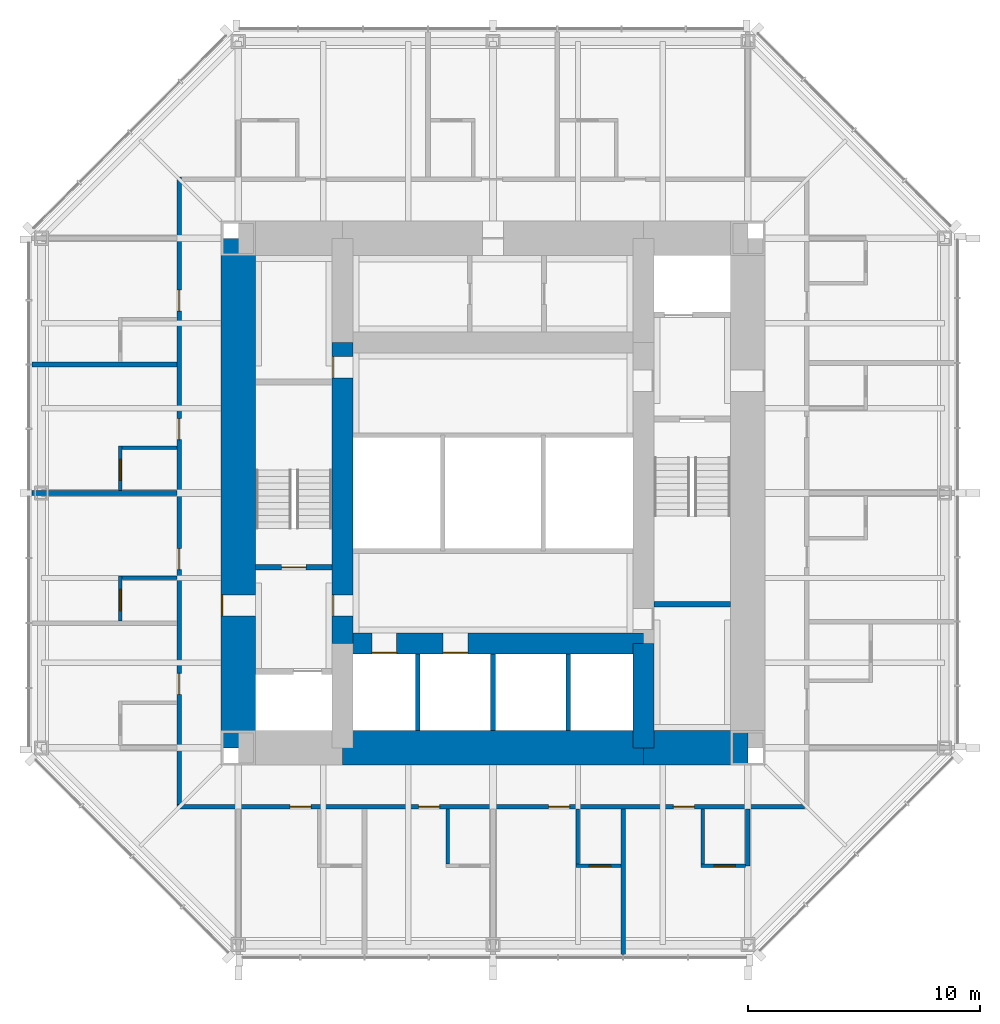
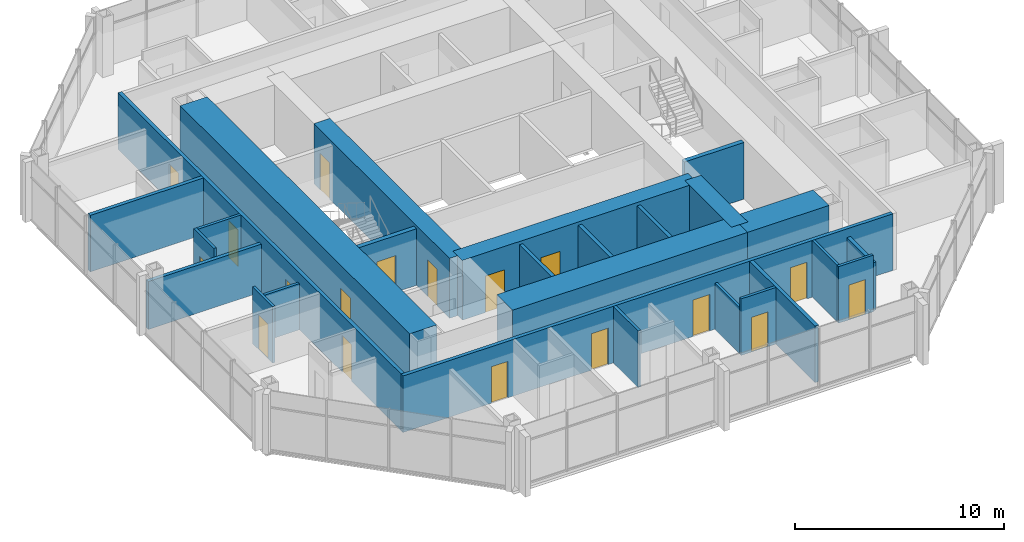
# One storey, part 8 of 12: 26 walls, 18 doors, 18 openings.
"""IFC4 building model written with IfcOpenShell, lengths in metres."""

from ifc_helpers import new_model, si_unit, direction, frame, frame_2d, origin, place, context, subcontext, project, spatial, rectangle, extrude, material, layer, layer_set, type_object, element, fill, save


model = new_model("IFC4")

# Units and contexts
model_context = context("Model", 3, precision=1e-05, world=origin(), true_north=direction((0.0, 1.0)))
body_context = subcontext(model_context, "Body", "Model", "MODEL_VIEW")
ifc_project = project(units=[si_unit("LENGTHUNIT", "METRE"), si_unit("AREAUNIT", "SQUARE_METRE"), si_unit("VOLUMEUNIT", "CUBIC_METRE"), si_unit("PLANEANGLEUNIT", "RADIAN"), si_unit("MASSUNIT", "GRAM", prefix="KILO")], contexts=[model_context])

# Site, building, storey
site_placement = place(None, origin())
site = spatial("IfcSite", under=ifc_project, at=site_placement, CompositionType="ELEMENT")
building_placement = place(site_placement, origin())
building = spatial("IfcBuilding", under=site, at=building_placement, Name="Trevanion Tower", CompositionType="ELEMENT")
storey_placement = place(building_placement, frame((0.0, 0.0, 201.199951171875)))
storey = spatial("IfcBuildingStorey", under=building, at=storey_placement, Name="L47", CompositionType="ELEMENT", Elevation=201.199951171875)

# Wall, opening, door
ifc_material_1 = material(Name="Concrete 10,000 psi", Category="concrete")
ifc_layer_1 = layer(ifc_material_1, 1.5)
ifc_layer_set_1 = layer_set([ifc_layer_1], Name="CW1 core wall 1500")
wall_type_1 = type_object("IfcWallType", Name="CW1 core wall 1500", PredefinedType="SHEAR", material=ifc_layer_set_1)
wall_1_placement = place(storey_placement, frame((-11.0, 11.0, 0.0), z_axis=(0.0, 0.0, 1.0), x_axis=(0.0, -1.0, 0.0)))
wall_1 = element("IfcWall", 1, at=wall_1_placement, inside=storey, type_object=wall_type_1, Name="CW1 CW L47", PredefinedType="SHEAR", context=body_context, shape_type="SweptSolid", body=[
    extrude(rectangle(XDim=22.0, YDim=1.5, at=frame_2d((11.0, 0.0))), origin(), (0.0, 0.0, 1.0), 3.5),
])
opening_1_placement = place(wall_1_placement, frame((15.392578125, 0.0, 0.0)))
opening_1 = element("IfcOpeningElement", 2, at=opening_1_placement, cuts=wall_1, Name="Opening 47-002", PredefinedType="OPENING", context=body_context, shape_type="SweptSolid", body=[
    extrude(rectangle(XDim=0.9150390625, YDim=2.134033203125, at=frame_2d((0.45751953125, 1.06689453125))), frame((0.0, 0.760009765625, 0.0), z_axis=(0.0, -1.0, 0.0), x_axis=(1.0, 0.0, 0.0)), (0.0, 0.0, 1.0), 1.52001953125),
])
ifc_material_2 = material(Name="Hollow metal, fire rated", Category="steel")
door_type_1 = type_object("IfcDoorType", Name="D3 fire lift lobby door", OperationType="SINGLE_SWING_RIGHT", PredefinedType="DOOR", material=ifc_material_2)
door_1_placement = place(opening_1_placement, origin())
door_1 = element("IfcDoor", 3, at=door_1_placement, inside=storey, type_object=door_type_1, Name="Door 47-002", OperationType="SINGLE_SWING_RIGHT", OverallHeight=2.134033203125, OverallWidth=0.9150390625, PredefinedType="DOOR", context=body_context, shape_type="SweptSolid", body=[
    extrude(rectangle(XDim=0.9150390625, YDim=2.134033203125, at=frame_2d((0.45751953125, 1.06689453125))), frame((0.0, -0.6748046875, 0.0), z_axis=(0.0, -1.0, 0.0), x_axis=(1.0, 0.0, 0.0)), (0.0, 0.0, 1.0), 0.050048828125),
])
fill(opening_1, door_1)

# Walls
wall_2_placement = place(storey_placement, frame((-6.5, -11.0, 0.0), z_axis=(0.0, 0.0, 1.0), x_axis=(1.0, 0.0, 0.0)))
element("IfcWall", 4, at=wall_2_placement, inside=storey, type_object=wall_type_1, Name="CW1 CS2 L47", PredefinedType="SHEAR", context=body_context, shape_type="SweptSolid", body=[
    extrude(rectangle(XDim=13.0, YDim=1.5, at=frame_2d((6.5, 0.0))), origin(), (0.0, 0.0, 1.0), 3.5),
])
wall_3_placement = place(storey_placement, frame((6.5, -11.0, 0.0), z_axis=(0.0, 0.0, 1.0), x_axis=(1.0, 0.0, 0.0)))
element("IfcWall", 5, at=wall_3_placement, inside=storey, type_object=wall_type_1, Name="CW1 CS3 L47", PredefinedType="SHEAR", context=body_context, shape_type="SweptSolid", body=[
    extrude(rectangle(XDim=4.5, YDim=1.5, at=frame_2d((2.25, 0.0))), origin(), (0.0, 0.0, 1.0), 3.5),
])
ifc_material_3 = material(Name="Concrete 10,000 psi", Category="concrete")
ifc_layer_2 = layer(ifc_material_3, 0.89990234375)
ifc_layer_set_2 = layer_set([ifc_layer_2], Name="CW2 core wall 900")
wall_type_2 = type_object("IfcWallType", Name="CW2 core wall 900", PredefinedType="SHEAR", material=ifc_layer_set_2)
wall_4_placement = place(storey_placement, frame((6.5, -11.0, 0.0), z_axis=(0.0, 0.0, 1.0), x_axis=(0.0, 1.0, 0.0)))
element("IfcWall", 6, at=wall_4_placement, inside=storey, type_object=wall_type_2, Name="CW2 RE1 L47", PredefinedType="SHEAR", context=body_context, shape_type="SweptSolid", body=[
    extrude(rectangle(XDim=4.5, YDim=0.89990234375, at=frame_2d((2.25, 0.0))), origin(), (0.0, 0.0, 1.0), 3.5),
])

# Wall, openings, doors
wall_5_placement = place(storey_placement, frame((-6.5, 6.5, 0.0), z_axis=(0.0, 0.0, 1.0), x_axis=(0.0, -1.0, 0.0)))
wall_5 = element("IfcWall", 7, at=wall_5_placement, inside=storey, type_object=wall_type_2, Name="CW2 RW2 L47", PredefinedType="SHEAR", context=body_context, shape_type="SweptSolid", body=[
    extrude(rectangle(XDim=13.0, YDim=0.89990234375, at=frame_2d((6.5, 0.0))), origin(), (0.0, 0.0, 1.0), 3.5),
])
opening_2_placement = place(wall_5_placement, frame((10.892578125, 0.0, 0.0)))
opening_2 = element("IfcOpeningElement", 8, at=opening_2_placement, cuts=wall_5, Name="Opening 47-004", PredefinedType="OPENING", context=body_context, shape_type="SweptSolid", body=[
    extrude(rectangle(XDim=0.9150390625, YDim=2.134033203125, at=frame_2d((0.45751953125, 1.06689453125))), frame((0.0, 0.4599609375, 0.0), z_axis=(0.0, -1.0, 0.0), x_axis=(1.0, 0.0, 0.0)), (0.0, 0.0, 1.0), 0.919921875),
])
opening_3_placement = place(wall_5_placement, frame((0.610107421875, 0.0, 0.0)))
opening_3 = element("IfcOpeningElement", 9, at=opening_3_placement, cuts=wall_5, Name="Opening 47-010", PredefinedType="OPENING", context=body_context, shape_type="SweptSolid", body=[
    extrude(rectangle(XDim=0.9150390625, YDim=2.134033203125, at=frame_2d((0.45751953125, 1.06689453125))), frame((0.0, 0.4599609375, 0.0), z_axis=(0.0, -1.0, 0.0), x_axis=(1.0, 0.0, 0.0)), (0.0, 0.0, 1.0), 0.919921875),
])
door_2_placement = place(opening_2_placement, origin())
door_2 = element("IfcDoor", 10, at=door_2_placement, inside=storey, type_object=door_type_1, Name="Door 47-004", OperationType="SINGLE_SWING_RIGHT", OverallHeight=2.134033203125, OverallWidth=0.9150390625, PredefinedType="DOOR", context=body_context, shape_type="SweptSolid", body=[
    extrude(rectangle(XDim=0.9150390625, YDim=2.134033203125, at=frame_2d((0.45751953125, 1.06689453125))), frame((0.0, -0.375, 0.0), z_axis=(0.0, -1.0, 0.0), x_axis=(1.0, 0.0, 0.0)), (0.0, 0.0, 1.0), 0.050048828125),
])
fill(opening_2, door_2)
ifc_material_4 = material(Name="Hollow metal, fire rated", Category="steel")
door_type_2 = type_object("IfcDoorType", Name="D5 service room door", OperationType="SINGLE_SWING_RIGHT", PredefinedType="DOOR", material=ifc_material_4)
door_3_placement = place(opening_3_placement, origin())
door_3 = element("IfcDoor", 11, at=door_3_placement, inside=storey, type_object=door_type_2, Name="Door 47-010", OperationType="SINGLE_SWING_RIGHT", OverallHeight=2.134033203125, OverallWidth=0.9150390625, PredefinedType="DOOR", context=body_context, shape_type="SweptSolid", body=[
    extrude(rectangle(XDim=0.9150390625, YDim=2.134033203125, at=frame_2d((0.45751953125, 1.06689453125))), frame((0.0, -0.375, 0.0), z_axis=(0.0, -1.0, 0.0), x_axis=(1.0, 0.0, 0.0)), (0.0, 0.0, 1.0), 0.050048828125),
])
fill(opening_3, door_3)

wall_6_placement = place(storey_placement, frame((-6.5, -6.5, 0.0), z_axis=(0.0, 0.0, 1.0), x_axis=(1.0, 0.0, 0.0)))
wall_6 = element("IfcWall", 12, at=wall_6_placement, inside=storey, type_object=wall_type_2, Name="CW2 RS L47", PredefinedType="SHEAR", context=body_context, shape_type="SweptSolid", body=[
    extrude(rectangle(XDim=13.0, YDim=0.89990234375, at=frame_2d((6.5, 0.0))), origin(), (0.0, 0.0, 1.0), 3.5),
])
opening_4_placement = place(wall_6_placement, frame((1.2666015625, 0.0, 0.0)))
opening_4 = element("IfcOpeningElement", 13, at=opening_4_placement, cuts=wall_6, Name="Opening 47-011", PredefinedType="OPENING", context=body_context, shape_type="SweptSolid", body=[
    extrude(rectangle(XDim=1.06689453125, YDim=2.134033203125, at=frame_2d((0.533447265625, 1.06689453125))), frame((0.0, 0.4599609375, 0.0), z_axis=(0.0, -1.0, 0.0), x_axis=(1.0, 0.0, 0.0)), (0.0, 0.0, 1.0), 0.919921875),
])
opening_5_placement = place(wall_6_placement, frame((4.341552734375, 0.0, 0.0)))
opening_5 = element("IfcOpeningElement", 14, at=opening_5_placement, cuts=wall_6, Name="Opening 47-012", PredefinedType="OPENING", context=body_context, shape_type="SweptSolid", body=[
    extrude(rectangle(XDim=1.06689453125, YDim=2.134033203125, at=frame_2d((0.533447265625, 1.06689453125))), frame((0.0, 0.4599609375, 0.0), z_axis=(0.0, -1.0, 0.0), x_axis=(1.0, 0.0, 0.0)), (0.0, 0.0, 1.0), 0.919921875),
])
ifc_material_5 = material(Name="Stainless steel, fire rated", Category="steel")
door_type_3 = type_object("IfcDoorType", Name="LD1 lift landing door", OperationType="SLIDING_TO_LEFT", PredefinedType="DOOR", material=ifc_material_5)
door_4_placement = place(opening_4_placement, origin())
door_4 = element("IfcDoor", 15, at=door_4_placement, inside=storey, type_object=door_type_3, Name="Door 47-011", OperationType="SLIDING_TO_LEFT", OverallHeight=2.134033203125, OverallWidth=1.06689453125, PredefinedType="DOOR", context=body_context, shape_type="SweptSolid", body=[
    extrude(rectangle(XDim=1.06689453125, YDim=2.134033203125, at=frame_2d((0.533447265625, 1.06689453125))), frame((0.0, -0.375, 0.0), z_axis=(0.0, -1.0, 0.0), x_axis=(1.0, 0.0, 0.0)), (0.0, 0.0, 1.0), 0.050048828125),
])
fill(opening_4, door_4)
door_5_placement = place(opening_5_placement, origin())
door_5 = element("IfcDoor", 16, at=door_5_placement, inside=storey, type_object=door_type_3, Name="Door 47-012", OperationType="SLIDING_TO_LEFT", OverallHeight=2.134033203125, OverallWidth=1.06689453125, PredefinedType="DOOR", context=body_context, shape_type="SweptSolid", body=[
    extrude(rectangle(XDim=1.06689453125, YDim=2.134033203125, at=frame_2d((0.533447265625, 1.06689453125))), frame((0.0, -0.375, 0.0), z_axis=(0.0, -1.0, 0.0), x_axis=(1.0, 0.0, 0.0)), (0.0, 0.0, 1.0), 0.050048828125),
])
fill(opening_5, door_5)

# Wall, opening, door
ifc_material_6 = material(Name="Gypsum board on steel studs", Category="steel")
ifc_layer_3 = layer(ifc_material_6, 0.14990234375)
ifc_layer_set_3 = layer_set([ifc_layer_3], Name="PT1 partition 150")
wall_type_3 = type_object("IfcWallType", Name="PT1 partition 150", PredefinedType="PARTITIONING", material=ifc_layer_set_3)
wall_7_placement = place(storey_placement, frame((-16.10009765625, 2.02490234375, 0.0), z_axis=(0.0, 0.0, 1.0), x_axis=(0.0, -1.0, 0.0)))
wall_7 = element("IfcWall", 17, at=wall_7_placement, inside=storey, type_object=wall_type_3, Name="PT1 L47 BA21", PredefinedType="PARTITIONING", context=body_context, shape_type="SweptSolid", body=[
    extrude(rectangle(XDim=1.9248046875, YDim=0.14990234375, at=frame_2d((0.96240234375, 0.0))), origin(), (0.0, 0.0, 1.0), 3.31005859375),
])
opening_6_placement = place(wall_7_placement, frame((0.5673828125, 0.0, 0.0)))
opening_6 = element("IfcOpeningElement", 18, at=opening_6_placement, cuts=wall_7, Name="Opening 47-032", PredefinedType="OPENING", context=body_context, shape_type="SweptSolid", body=[
    extrude(rectangle(XDim=0.9150390625, YDim=2.031982421875, at=frame_2d((0.45751953125, 1.01611328125))), frame((0.0, 0.0849609375, 0.0), z_axis=(0.0, -1.0, 0.0), x_axis=(1.0, 0.0, 0.0)), (0.0, 0.0, 1.0), 0.169921875),
])
ifc_material_7 = material(Name="Timber veneer", Category="wood")
door_type_4 = type_object("IfcDoorType", Name="D7 bathroom door", OperationType="SINGLE_SWING_LEFT", PredefinedType="DOOR", material=ifc_material_7)
door_6_placement = place(opening_6_placement, origin())
door_6 = element("IfcDoor", 19, at=door_6_placement, inside=storey, type_object=door_type_4, Name="Door 47-032", OperationType="SINGLE_SWING_LEFT", OverallHeight=2.031982421875, OverallWidth=0.9150390625, PredefinedType="DOOR", context=body_context, shape_type="SweptSolid", body=[
    extrude(rectangle(XDim=0.9150390625, YDim=2.031982421875, at=frame_2d((0.45751953125, 1.01611328125))), frame((0.0, 0.02490234375, 0.0), z_axis=(0.0, -1.0, 0.0), x_axis=(1.0, 0.0, 0.0)), (0.0, 0.0, 1.0), 0.050048828125),
])
fill(opening_6, door_6)

# Wall
wall_8_placement = place(storey_placement, frame((-13.64990234375, 1.949951171875, 0.0), z_axis=(0.0, 0.0, 1.0), x_axis=(-1.0, 0.0, 0.0)))
element("IfcWall", 20, at=wall_8_placement, inside=storey, type_object=wall_type_3, Name="PT1 L47 BB21", PredefinedType="PARTITIONING", context=body_context, shape_type="SweptSolid", body=[
    extrude(rectangle(XDim=2.375, YDim=0.14990234375, at=frame_2d((1.1875, 0.0))), origin(), (0.0, 0.0, 1.0), 3.31005859375),
])

# Wall, opening, door
wall_9_placement = place(storey_placement, frame((-16.10009765625, -3.589111328125, 0.0), z_axis=(0.0, 0.0, 1.0), x_axis=(0.0, -1.0, 0.0)))
wall_9 = element("IfcWall", 21, at=wall_9_placement, inside=storey, type_object=wall_type_3, Name="PT1 L47 BA22", PredefinedType="PARTITIONING", context=body_context, shape_type="SweptSolid", body=[
    extrude(rectangle(XDim=1.9248046875, YDim=0.14990234375, at=frame_2d((0.96240234375, 0.0))), origin(), (0.0, 0.0, 1.0), 3.31005859375),
])
opening_7_placement = place(wall_9_placement, frame((0.5673828125, 0.0, 0.0)))
opening_7 = element("IfcOpeningElement", 22, at=opening_7_placement, cuts=wall_9, Name="Opening 47-034", PredefinedType="OPENING", context=body_context, shape_type="SweptSolid", body=[
    extrude(rectangle(XDim=0.9150390625, YDim=2.031982421875, at=frame_2d((0.45751953125, 1.01611328125))), frame((0.0, 0.0849609375, 0.0), z_axis=(0.0, -1.0, 0.0), x_axis=(1.0, 0.0, 0.0)), (0.0, 0.0, 1.0), 0.169921875),
])
door_7_placement = place(opening_7_placement, origin())
door_7 = element("IfcDoor", 23, at=door_7_placement, inside=storey, type_object=door_type_4, Name="Door 47-034", OperationType="SINGLE_SWING_LEFT", OverallHeight=2.031982421875, OverallWidth=0.9150390625, PredefinedType="DOOR", context=body_context, shape_type="SweptSolid", body=[
    extrude(rectangle(XDim=0.9150390625, YDim=2.031982421875, at=frame_2d((0.45751953125, 1.01611328125))), frame((0.0, 0.02490234375, 0.0), z_axis=(0.0, -1.0, 0.0), x_axis=(1.0, 0.0, 0.0)), (0.0, 0.0, 1.0), 0.050048828125),
])
fill(opening_7, door_7)

# Walls
wall_10_placement = place(storey_placement, frame((-13.64990234375, -3.6640625, 0.0), z_axis=(0.0, 0.0, 1.0), x_axis=(-1.0, 0.0, 0.0)))
element("IfcWall", 24, at=wall_10_placement, inside=storey, type_object=wall_type_3, Name="PT1 L47 BB22", PredefinedType="PARTITIONING", context=body_context, shape_type="SweptSolid", body=[
    extrude(rectangle(XDim=2.375, YDim=0.14990234375, at=frame_2d((1.1875, 0.0))), origin(), (0.0, 0.0, 1.0), 2.703125),
])
wall_11_placement = place(storey_placement, frame((-1.949951171875, -13.64990234375, 0.0), z_axis=(0.0, 0.0, 1.0), x_axis=(0.0, -1.0, 0.0)))
element("IfcWall", 25, at=wall_11_placement, inside=storey, type_object=wall_type_3, Name="PT1 L47 BB31", PredefinedType="PARTITIONING", context=body_context, shape_type="SweptSolid", body=[
    extrude(rectangle(XDim=2.375, YDim=0.14990234375, at=frame_2d((1.1875, 0.0))), origin(), (0.0, 0.0, 1.0), 3.31005859375),
])

# Wall, opening, door
wall_12_placement = place(storey_placement, frame((3.589111328125, -16.10009765625, 0.0), z_axis=(0.0, 0.0, 1.0), x_axis=(1.0, 0.0, 0.0)))
wall_12 = element("IfcWall", 26, at=wall_12_placement, inside=storey, type_object=wall_type_3, Name="PT1 L47 BA32", PredefinedType="PARTITIONING", context=body_context, shape_type="SweptSolid", body=[
    extrude(rectangle(XDim=1.9248046875, YDim=0.14990234375, at=frame_2d((0.96240234375, 0.0))), origin(), (0.0, 0.0, 1.0), 3.31005859375),
])
opening_8_placement = place(wall_12_placement, frame((0.5673828125, 0.0, 0.0)))
opening_8 = element("IfcOpeningElement", 27, at=opening_8_placement, cuts=wall_12, Name="Opening 47-042", PredefinedType="OPENING", context=body_context, shape_type="SweptSolid", body=[
    extrude(rectangle(XDim=0.9150390625, YDim=2.031982421875, at=frame_2d((0.45751953125, 1.01611328125))), frame((0.0, 0.0849609375, 0.0), z_axis=(0.0, -1.0, 0.0), x_axis=(1.0, 0.0, 0.0)), (0.0, 0.0, 1.0), 0.169921875),
])
door_8_placement = place(opening_8_placement, origin())
door_8 = element("IfcDoor", 28, at=door_8_placement, inside=storey, type_object=door_type_4, Name="Door 47-042", OperationType="SINGLE_SWING_LEFT", OverallHeight=2.031982421875, OverallWidth=0.9150390625, PredefinedType="DOOR", context=body_context, shape_type="SweptSolid", body=[
    extrude(rectangle(XDim=0.9150390625, YDim=2.031982421875, at=frame_2d((0.45751953125, 1.01611328125))), frame((0.0, 0.02490234375, 0.0), z_axis=(0.0, -1.0, 0.0), x_axis=(1.0, 0.0, 0.0)), (0.0, 0.0, 1.0), 0.050048828125),
])
fill(opening_8, door_8)

# Wall
wall_13_placement = place(storey_placement, frame((3.6640625, -13.64990234375, 0.0), z_axis=(0.0, 0.0, 1.0), x_axis=(0.0, -1.0, 0.0)))
element("IfcWall", 29, at=wall_13_placement, inside=storey, type_object=wall_type_3, Name="PT1 L47 BB32", PredefinedType="PARTITIONING", context=body_context, shape_type="SweptSolid", body=[
    extrude(rectangle(XDim=2.375, YDim=0.14990234375, at=frame_2d((1.1875, 0.0))), origin(), (0.0, 0.0, 1.0), 2.703125),
])

# Wall, opening, door
wall_14_placement = place(storey_placement, frame((8.97509765625, -16.10009765625, 0.0), z_axis=(0.0, 0.0, 1.0), x_axis=(1.0, 0.0, 0.0)))
wall_14 = element("IfcWall", 30, at=wall_14_placement, inside=storey, type_object=wall_type_3, Name="PT1 L47 BA33", PredefinedType="PARTITIONING", context=body_context, shape_type="SweptSolid", body=[
    extrude(rectangle(XDim=1.9248046875, YDim=0.14990234375, at=frame_2d((0.96240234375, 0.0))), origin(), (0.0, 0.0, 1.0), 3.31005859375),
])
opening_9_placement = place(wall_14_placement, frame((0.5673828125, 0.0, 0.0)))
opening_9 = element("IfcOpeningElement", 31, at=opening_9_placement, cuts=wall_14, Name="Opening 47-044", PredefinedType="OPENING", context=body_context, shape_type="SweptSolid", body=[
    extrude(rectangle(XDim=0.9150390625, YDim=2.031982421875, at=frame_2d((0.45751953125, 1.01611328125))), frame((0.0, 0.0849609375, 0.0), z_axis=(0.0, -1.0, 0.0), x_axis=(1.0, 0.0, 0.0)), (0.0, 0.0, 1.0), 0.169921875),
])
door_9_placement = place(opening_9_placement, origin())
door_9 = element("IfcDoor", 32, at=door_9_placement, inside=storey, type_object=door_type_4, Name="Door 47-044", OperationType="SINGLE_SWING_LEFT", OverallHeight=2.031982421875, OverallWidth=0.9150390625, PredefinedType="DOOR", context=body_context, shape_type="SweptSolid", body=[
    extrude(rectangle(XDim=0.9150390625, YDim=2.031982421875, at=frame_2d((0.45751953125, 1.01611328125))), frame((0.0, 0.02490234375, 0.0), z_axis=(0.0, -1.0, 0.0), x_axis=(1.0, 0.0, 0.0)), (0.0, 0.0, 1.0), 0.050048828125),
])
fill(opening_9, door_9)

# Wall
wall_15_placement = place(storey_placement, frame((9.050048828125, -13.64990234375, 0.0), z_axis=(0.0, 0.0, 1.0), x_axis=(0.0, -1.0, 0.0)))
element("IfcWall", 33, at=wall_15_placement, inside=storey, type_object=wall_type_3, Name="PT1 L47 BB33", PredefinedType="PARTITIONING", context=body_context, shape_type="SweptSolid", body=[
    extrude(rectangle(XDim=2.375, YDim=0.14990234375, at=frame_2d((1.1875, 0.0))), origin(), (0.0, 0.0, 1.0), 3.31005859375),
])

# Wall, openings, doors
ifc_material_8 = material(Name="Concrete masonry, grouted", Category="masonry")
ifc_layer_4 = layer(ifc_material_8, 0.199951171875)
ifc_layer_set_4 = layer_set([ifc_layer_4], Name="PT2 partition 200 1 HR")
wall_type_4 = type_object("IfcWallType", Name="PT2 partition 200 1 HR", PredefinedType="PARTITIONING", material=ifc_layer_set_4)
wall_16_placement = place(storey_placement, frame((-13.550048828125, 13.64990234375, 0.0), z_axis=(0.0, 0.0, 1.0), x_axis=(0.0, -1.0, 0.0)))
wall_16 = element("IfcWall", 34, at=wall_16_placement, inside=storey, type_object=wall_type_4, Name="PT2 L47 HC2", PredefinedType="PARTITIONING", context=body_context, shape_type="SweptSolid", body=[
    extrude(rectangle(XDim=27.099853515625, YDim=0.199951171875, at=frame_2d((13.5498046875, 0.0))), origin(), (0.0, 0.0, 1.0), 3.31005859375),
])
opening_10_placement = place(wall_16_placement, frame((4.883544921875, 0.0, 0.0)))
opening_10 = element("IfcOpeningElement", 35, at=opening_10_placement, cuts=wall_16, Name="Opening 47-031", PredefinedType="OPENING", context=body_context, shape_type="SweptSolid", body=[
    extrude(rectangle(XDim=0.9150390625, YDim=2.134033203125, at=frame_2d((0.45751953125, 1.06689453125))), frame((0.0, 0.10986328125, 0.0), z_axis=(0.0, -1.0, 0.0), x_axis=(1.0, 0.0, 0.0)), (0.0, 0.0, 1.0), 0.219970703125),
])
opening_11_placement = place(wall_16_placement, frame((10.4326171875, 0.0, 0.0)))
opening_11 = element("IfcOpeningElement", 36, at=opening_11_placement, cuts=wall_16, Name="Opening 47-033", PredefinedType="OPENING", context=body_context, shape_type="SweptSolid", body=[
    extrude(rectangle(XDim=0.9150390625, YDim=2.134033203125, at=frame_2d((0.45751953125, 1.06689453125))), frame((0.0, 0.10986328125, 0.0), z_axis=(0.0, -1.0, 0.0), x_axis=(1.0, 0.0, 0.0)), (0.0, 0.0, 1.0), 0.219970703125),
])
opening_12_placement = place(wall_16_placement, frame((16.04638671875, 0.0, 0.0)))
opening_12 = element("IfcOpeningElement", 37, at=opening_12_placement, cuts=wall_16, Name="Opening 47-035", PredefinedType="OPENING", context=body_context, shape_type="SweptSolid", body=[
    extrude(rectangle(XDim=0.9150390625, YDim=2.134033203125, at=frame_2d((0.45751953125, 1.06689453125))), frame((0.0, 0.10986328125, 0.0), z_axis=(0.0, -1.0, 0.0), x_axis=(1.0, 0.0, 0.0)), (0.0, 0.0, 1.0), 0.219970703125),
])
opening_13_placement = place(wall_16_placement, frame((21.4326171875, 0.0, 0.0)))
opening_13 = element("IfcOpeningElement", 38, at=opening_13_placement, cuts=wall_16, Name="Opening 47-037", PredefinedType="OPENING", context=body_context, shape_type="SweptSolid", body=[
    extrude(rectangle(XDim=0.9150390625, YDim=2.134033203125, at=frame_2d((0.45751953125, 1.06689453125))), frame((0.0, 0.10986328125, 0.0), z_axis=(0.0, -1.0, 0.0), x_axis=(1.0, 0.0, 0.0)), (0.0, 0.0, 1.0), 0.219970703125),
])
ifc_material_9 = material(Name="Timber veneer, fire rated", Category="wood")
door_type_5 = type_object("IfcDoorType", Name="D6 guest room entrance door", OperationType="SINGLE_SWING_LEFT", PredefinedType="DOOR", material=ifc_material_9)
door_10_placement = place(opening_10_placement, origin())
door_10 = element("IfcDoor", 39, at=door_10_placement, inside=storey, type_object=door_type_5, Name="Door 47-031", OperationType="SINGLE_SWING_LEFT", OverallHeight=2.134033203125, OverallWidth=0.9150390625, PredefinedType="DOOR", context=body_context, shape_type="SweptSolid", body=[
    extrude(rectangle(XDim=0.9150390625, YDim=2.134033203125, at=frame_2d((0.45751953125, 1.06689453125))), frame((0.0, 0.02490234375, 0.0), z_axis=(0.0, -1.0, 0.0), x_axis=(1.0, 0.0, 0.0)), (0.0, 0.0, 1.0), 0.050048828125),
])
fill(opening_10, door_10)
door_11_placement = place(opening_11_placement, origin())
door_11 = element("IfcDoor", 40, at=door_11_placement, inside=storey, type_object=door_type_5, Name="Door 47-033", OperationType="SINGLE_SWING_LEFT", OverallHeight=2.134033203125, OverallWidth=0.9150390625, PredefinedType="DOOR", context=body_context, shape_type="SweptSolid", body=[
    extrude(rectangle(XDim=0.9150390625, YDim=2.134033203125, at=frame_2d((0.45751953125, 1.06689453125))), frame((0.0, 0.02490234375, 0.0), z_axis=(0.0, -1.0, 0.0), x_axis=(1.0, 0.0, 0.0)), (0.0, 0.0, 1.0), 0.050048828125),
])
fill(opening_11, door_11)
door_12_placement = place(opening_12_placement, origin())
door_12 = element("IfcDoor", 41, at=door_12_placement, inside=storey, type_object=door_type_5, Name="Door 47-035", OperationType="SINGLE_SWING_LEFT", OverallHeight=2.134033203125, OverallWidth=0.9150390625, PredefinedType="DOOR", context=body_context, shape_type="SweptSolid", body=[
    extrude(rectangle(XDim=0.9150390625, YDim=2.134033203125, at=frame_2d((0.45751953125, 1.06689453125))), frame((0.0, 0.02490234375, 0.0), z_axis=(0.0, -1.0, 0.0), x_axis=(1.0, 0.0, 0.0)), (0.0, 0.0, 1.0), 0.050048828125),
])
fill(opening_12, door_12)
door_13_placement = place(opening_13_placement, origin())
door_13 = element("IfcDoor", 42, at=door_13_placement, inside=storey, type_object=door_type_5, Name="Door 47-037", OperationType="SINGLE_SWING_LEFT", OverallHeight=2.134033203125, OverallWidth=0.9150390625, PredefinedType="DOOR", context=body_context, shape_type="SweptSolid", body=[
    extrude(rectangle(XDim=0.9150390625, YDim=2.134033203125, at=frame_2d((0.45751953125, 1.06689453125))), frame((0.0, 0.02490234375, 0.0), z_axis=(0.0, -1.0, 0.0), x_axis=(1.0, 0.0, 0.0)), (0.0, 0.0, 1.0), 0.050048828125),
])
fill(opening_13, door_13)

wall_17_placement = place(storey_placement, frame((-13.64990234375, -13.550048828125, 0.0), z_axis=(0.0, 0.0, 1.0), x_axis=(1.0, 0.0, 0.0)))
wall_17 = element("IfcWall", 43, at=wall_17_placement, inside=storey, type_object=wall_type_4, Name="PT2 L47 HC3", PredefinedType="PARTITIONING", context=body_context, shape_type="SweptSolid", body=[
    extrude(rectangle(XDim=27.099853515625, YDim=0.199951171875, at=frame_2d((13.5498046875, 0.0))), origin(), (0.0, 0.0, 1.0), 3.31005859375),
])
opening_14_placement = place(wall_17_placement, frame((4.883544921875, 0.0, 0.0)))
opening_14 = element("IfcOpeningElement", 44, at=opening_14_placement, cuts=wall_17, Name="Opening 47-039", PredefinedType="OPENING", context=body_context, shape_type="SweptSolid", body=[
    extrude(rectangle(XDim=0.9150390625, YDim=2.134033203125, at=frame_2d((0.45751953125, 1.06689453125))), frame((0.0, 0.10986328125, 0.0), z_axis=(0.0, -1.0, 0.0), x_axis=(1.0, 0.0, 0.0)), (0.0, 0.0, 1.0), 0.219970703125),
])
opening_15_placement = place(wall_17_placement, frame((10.4326171875, 0.0, 0.0)))
opening_15 = element("IfcOpeningElement", 45, at=opening_15_placement, cuts=wall_17, Name="Opening 47-041", PredefinedType="OPENING", context=body_context, shape_type="SweptSolid", body=[
    extrude(rectangle(XDim=0.9150390625, YDim=2.134033203125, at=frame_2d((0.45751953125, 1.06689453125))), frame((0.0, 0.10986328125, 0.0), z_axis=(0.0, -1.0, 0.0), x_axis=(1.0, 0.0, 0.0)), (0.0, 0.0, 1.0), 0.219970703125),
])
opening_16_placement = place(wall_17_placement, frame((16.04638671875, 0.0, 0.0)))
opening_16 = element("IfcOpeningElement", 46, at=opening_16_placement, cuts=wall_17, Name="Opening 47-043", PredefinedType="OPENING", context=body_context, shape_type="SweptSolid", body=[
    extrude(rectangle(XDim=0.9150390625, YDim=2.134033203125, at=frame_2d((0.45751953125, 1.06689453125))), frame((0.0, 0.10986328125, 0.0), z_axis=(0.0, -1.0, 0.0), x_axis=(1.0, 0.0, 0.0)), (0.0, 0.0, 1.0), 0.219970703125),
])
opening_17_placement = place(wall_17_placement, frame((21.4326171875, 0.0, 0.0)))
opening_17 = element("IfcOpeningElement", 47, at=opening_17_placement, cuts=wall_17, Name="Opening 47-045", PredefinedType="OPENING", context=body_context, shape_type="SweptSolid", body=[
    extrude(rectangle(XDim=0.9150390625, YDim=2.134033203125, at=frame_2d((0.45751953125, 1.06689453125))), frame((0.0, 0.10986328125, 0.0), z_axis=(0.0, -1.0, 0.0), x_axis=(1.0, 0.0, 0.0)), (0.0, 0.0, 1.0), 0.219970703125),
])
door_14_placement = place(opening_14_placement, origin())
door_14 = element("IfcDoor", 48, at=door_14_placement, inside=storey, type_object=door_type_5, Name="Door 47-039", OperationType="SINGLE_SWING_LEFT", OverallHeight=2.134033203125, OverallWidth=0.9150390625, PredefinedType="DOOR", context=body_context, shape_type="SweptSolid", body=[
    extrude(rectangle(XDim=0.9150390625, YDim=2.134033203125, at=frame_2d((0.45751953125, 1.06689453125))), frame((0.0, 0.02490234375, 0.0), z_axis=(0.0, -1.0, 0.0), x_axis=(1.0, 0.0, 0.0)), (0.0, 0.0, 1.0), 0.050048828125),
])
fill(opening_14, door_14)
door_15_placement = place(opening_15_placement, origin())
door_15 = element("IfcDoor", 49, at=door_15_placement, inside=storey, type_object=door_type_5, Name="Door 47-041", OperationType="SINGLE_SWING_LEFT", OverallHeight=2.134033203125, OverallWidth=0.9150390625, PredefinedType="DOOR", context=body_context, shape_type="SweptSolid", body=[
    extrude(rectangle(XDim=0.9150390625, YDim=2.134033203125, at=frame_2d((0.45751953125, 1.06689453125))), frame((0.0, 0.02490234375, 0.0), z_axis=(0.0, -1.0, 0.0), x_axis=(1.0, 0.0, 0.0)), (0.0, 0.0, 1.0), 0.050048828125),
])
fill(opening_15, door_15)
door_16_placement = place(opening_16_placement, origin())
door_16 = element("IfcDoor", 50, at=door_16_placement, inside=storey, type_object=door_type_5, Name="Door 47-043", OperationType="SINGLE_SWING_LEFT", OverallHeight=2.134033203125, OverallWidth=0.9150390625, PredefinedType="DOOR", context=body_context, shape_type="SweptSolid", body=[
    extrude(rectangle(XDim=0.9150390625, YDim=2.134033203125, at=frame_2d((0.45751953125, 1.06689453125))), frame((0.0, 0.02490234375, 0.0), z_axis=(0.0, -1.0, 0.0), x_axis=(1.0, 0.0, 0.0)), (0.0, 0.0, 1.0), 0.050048828125),
])
fill(opening_16, door_16)
door_17_placement = place(opening_17_placement, origin())
door_17 = element("IfcDoor", 51, at=door_17_placement, inside=storey, type_object=door_type_5, Name="Door 47-045", OperationType="SINGLE_SWING_LEFT", OverallHeight=2.134033203125, OverallWidth=0.9150390625, PredefinedType="DOOR", context=body_context, shape_type="SweptSolid", body=[
    extrude(rectangle(XDim=0.9150390625, YDim=2.134033203125, at=frame_2d((0.45751953125, 1.06689453125))), frame((0.0, 0.02490234375, 0.0), z_axis=(0.0, -1.0, 0.0), x_axis=(1.0, 0.0, 0.0)), (0.0, 0.0, 1.0), 0.050048828125),
])
fill(opening_17, door_17)

# Walls
wall_18_placement = place(storey_placement, frame((-13.64990234375, 5.549072265625, 0.0), z_axis=(0.0, 0.0, 1.0), x_axis=(-1.0, 0.0, 0.0)))
element("IfcWall", 52, at=wall_18_placement, inside=storey, type_object=wall_type_4, Name="PT2 L47 HD21", PredefinedType="PARTITIONING", context=body_context, shape_type="SweptSolid", body=[
    extrude(rectangle(XDim=6.26513671875, YDim=0.199951171875, at=frame_2d((3.132568359375, 0.0))), origin(), (0.0, 0.0, 1.0), 3.31005859375),
])
wall_19_placement = place(storey_placement, frame((-13.64990234375, 0.0, 0.0), z_axis=(0.0, 0.0, 1.0), x_axis=(-1.0, 0.0, 0.0)))
element("IfcWall", 53, at=wall_19_placement, inside=storey, type_object=wall_type_4, Name="PT2 L47 HD22", PredefinedType="PARTITIONING", context=body_context, shape_type="SweptSolid", body=[
    extrude(rectangle(XDim=6.26513671875, YDim=0.199951171875, at=frame_2d((3.132568359375, 0.0))), origin(), (0.0, 0.0, 1.0), 2.802001953125),
])
wall_20_placement = place(storey_placement, frame((5.614013671875, -13.64990234375, 0.0), z_axis=(0.0, 0.0, 1.0), x_axis=(0.0, -1.0, 0.0)))
element("IfcWall", 54, at=wall_20_placement, inside=storey, type_object=wall_type_4, Name="PT2 L47 HD33", PredefinedType="PARTITIONING", context=body_context, shape_type="SweptSolid", body=[
    extrude(rectangle(XDim=6.26513671875, YDim=0.199951171875, at=frame_2d((3.132568359375, 0.0))), origin(), (0.0, 0.0, 1.0), 3.31005859375),
])
wall_21_placement = place(storey_placement, frame((11.0, -13.64990234375, 0.0), z_axis=(0.0, 0.0, 1.0), x_axis=(0.0, -1.0, 0.0)))
element("IfcWall", 55, at=wall_21_placement, inside=storey, type_object=wall_type_4, Name="PT2 L47 BC33", PredefinedType="PARTITIONING", context=body_context, shape_type="SweptSolid", body=[
    extrude(rectangle(XDim=2.4501953125, YDim=0.199951171875, at=frame_2d((1.22509765625, 0.0))), origin(), (0.0, 0.0, 1.0), 2.802001953125),
])
ifc_material_10 = material(Name="Concrete masonry, grouted", Category="masonry")
ifc_layer_5 = layer(ifc_material_10, 0.199951171875)
ifc_layer_set_5 = layer_set([ifc_layer_5], Name="PT2 partition 200 2 HR")
wall_type_5 = type_object("IfcWallType", Name="PT2 partition 200 2 HR", PredefinedType="PARTITIONING", material=ifc_layer_set_5)
for number, where, z_axis, x_axis, name in (
    (56, (-3.25, -10.25, 0.0), (0.0, 0.0, 1.0), (0.0, 1.0, 0.0), "PT2 L47 SS0"),
    (57, (0.0, -10.25, 0.0), (0.0, 0.0, 1.0), (0.0, 1.0, 0.0), "PT2 L47 SS1"),
    (58, (3.25, -10.25, 0.0), (0.0, 0.0, 1.0), (0.0, 1.0, 0.0), "PT2 L47 SS2"),
):
    element("IfcWall", number, at=place(storey_placement, frame(where, z_axis=z_axis, x_axis=x_axis)), inside=storey, type_object=wall_type_5, Name=name, PredefinedType="PARTITIONING", context=body_context, shape_type="SweptSolid", body=[
        extrude(rectangle(XDim=3.300048828125, YDim=0.199951171875, at=frame_2d((1.64990234375, 0.0))), origin(), (0.0, 0.0, 1.0), 3.31005859375),
    ])
ifc_material_11 = material(Name="Reinforced masonry, fully grouted", Category="masonry")
ifc_layer_6 = layer(ifc_material_11, 0.25)
ifc_layer_set_6 = layer_set([ifc_layer_6], Name="SW1 stair shaft wall 250")
wall_type_6 = type_object("IfcWallType", Name="SW1 stair shaft wall 250", PredefinedType="SOLIDWALL", material=ifc_layer_set_6)
wall_22_placement = place(storey_placement, frame((6.949951171875, -4.800048828125, 0.0), z_axis=(0.0, 0.0, 1.0), x_axis=(1.0, 0.0, 0.0)))
element("IfcWall", 59, at=wall_22_placement, inside=storey, type_object=wall_type_6, Name="SW1 L47 EP1", PredefinedType="SOLIDWALL", context=body_context, shape_type="SweptSolid", body=[
    extrude(rectangle(XDim=3.300048828125, YDim=0.25, at=frame_2d((1.64990234375, 0.0))), origin(), (0.0, 0.0, 1.0), 3.31005859375),
])

# Wall, opening, door
wall_23_placement = place(storey_placement, frame((-6.949951171875, -3.199951171875, 0.0), z_axis=(0.0, 0.0, 1.0), x_axis=(-1.0, 0.0, 0.0)))
wall_23 = element("IfcWall", 60, at=wall_23_placement, inside=storey, type_object=wall_type_6, Name="SW1 L47 WP2", PredefinedType="SOLIDWALL", context=body_context, shape_type="SweptSolid", body=[
    extrude(rectangle(XDim=3.300048828125, YDim=0.25, at=frame_2d((1.64990234375, 0.0))), origin(), (0.0, 0.0, 1.0), 3.31005859375),
])
opening_18_placement = place(wall_23_placement, frame((1.116455078125, 0.0, 0.0)))
opening_18 = element("IfcOpeningElement", 61, at=opening_18_placement, cuts=wall_23, Name="Opening 47-006", PredefinedType="OPENING", context=body_context, shape_type="SweptSolid", body=[
    extrude(rectangle(XDim=1.06689453125, YDim=2.134033203125, at=frame_2d((0.533447265625, 1.06689453125))), frame((0.0, 0.135009765625, 0.0), z_axis=(0.0, -1.0, 0.0), x_axis=(1.0, 0.0, 0.0)), (0.0, 0.0, 1.0), 0.27001953125),
])
ifc_material_12 = material(Name="Hollow metal, fire rated", Category="steel")
door_type_6 = type_object("IfcDoorType", Name="D2 exit stair door", OperationType="SINGLE_SWING_LEFT", PredefinedType="DOOR", material=ifc_material_12)
door_18_placement = place(opening_18_placement, origin())
door_18 = element("IfcDoor", 62, at=door_18_placement, inside=storey, type_object=door_type_6, Name="Door 47-006", OperationType="SINGLE_SWING_LEFT", OverallHeight=2.134033203125, OverallWidth=1.06689453125, PredefinedType="DOOR", context=body_context, shape_type="SweptSolid", body=[
    extrude(rectangle(XDim=1.06689453125, YDim=2.134033203125, at=frame_2d((0.533447265625, 1.06689453125))), frame((0.0, 0.02490234375, 0.0), z_axis=(0.0, -1.0, 0.0), x_axis=(1.0, 0.0, 0.0)), (0.0, 0.0, 1.0), 0.050048828125),
])
fill(opening_18, door_18)

save(model, "model.ifc")
